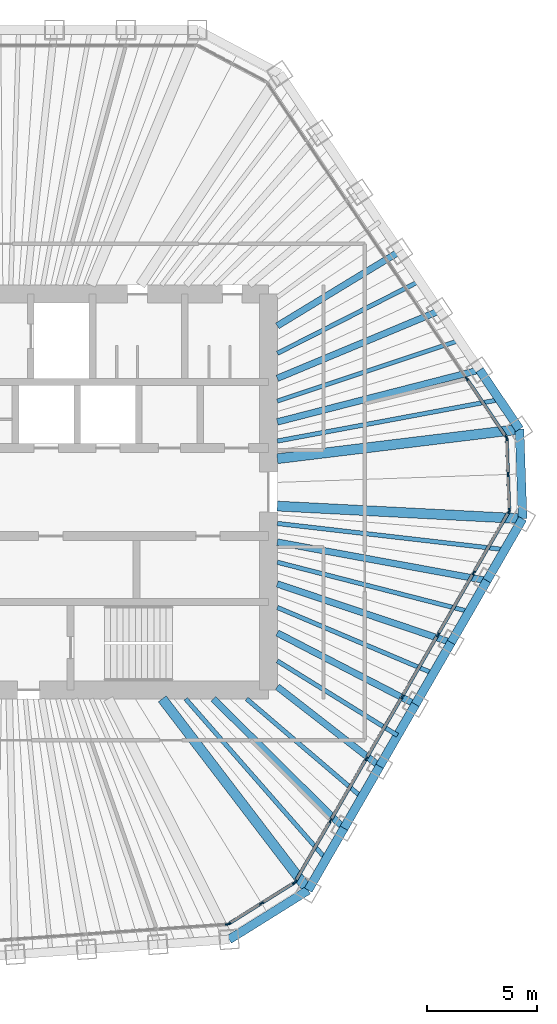
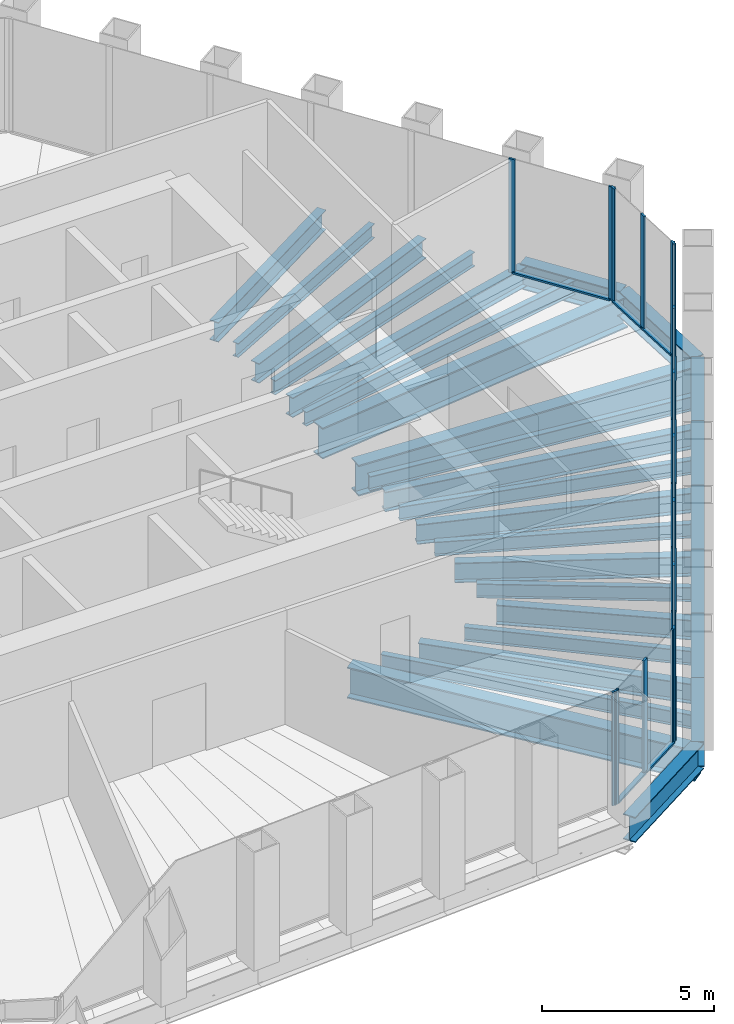
# One storey, part 5 of 14: 29 beams, 27 members, 5 elements without a shape of their own.
"""IFC4 building model written with IfcOpenShell, lengths in metres."""

from ifc_helpers import new_model, si_unit, direction, frame, origin, origin_2d, place, context, subcontext, project, spatial, rectangle, i_section, extrude, material, material_profile, profile_set, type_object, element, aggregate, save


model = new_model("IFC4")

# Units and contexts
model_context = context("Model", 3, precision=1e-05, world=origin(), true_north=direction((0.0, 1.0)))
body_context = subcontext(model_context, "Body", "Model", "MODEL_VIEW")
ifc_project = project(units=[si_unit("LENGTHUNIT", "METRE"), si_unit("AREAUNIT", "SQUARE_METRE"), si_unit("VOLUMEUNIT", "CUBIC_METRE"), si_unit("PLANEANGLEUNIT", "RADIAN"), si_unit("MASSUNIT", "GRAM", prefix="KILO")], contexts=[model_context])

# Site, building, storey
site_placement = place(None, origin())
site = spatial("IfcSite", under=ifc_project, at=site_placement, CompositionType="ELEMENT")
building_placement = place(site_placement, origin())
building = spatial("IfcBuilding", under=site, at=building_placement, Name="Qingtian Harvest Tower", CompositionType="ELEMENT")
storey_placement = place(building_placement, frame((0.0, 0.0, 320.800048828125)))
storey = spatial("IfcBuildingStorey", under=building, at=storey_placement, Name="L71", CompositionType="ELEMENT", Elevation=320.800048828125)

# Beams
ifc_material_1 = material(Name="Steel SM570MC", Category="steel")
ifc_material_profile_1 = material_profile(ifc_material_1, i_section(OverallWidth=0.449951171875, OverallDepth=1.10009765625, WebThickness=0.02197265625, FlangeThickness=0.044921875, at=origin_2d()), Name="H1100x450x22x45")
ifc_profile_set_1 = profile_set([ifc_material_profile_1], Name="Steel SM570MC")
beam_type_1 = type_object("IfcBeamType", Name="Corner floor beam FB8 H1100x450x22x45", PredefinedType="BEAM", material=ifc_profile_set_1)
beam_1_placement = place(storey_placement, frame((23.405517578125, 2.85400390625, -0.719970703125), z_axis=(-0.992647039178, -0.121044849583, 0.0), x_axis=(0.121044849583, -0.992647039178, 0.0)))
element("IfcBeam", 1, at=beam_1_placement, inside=storey, type_object=beam_type_1, Name="Floor beam FB8 NE6", PredefinedType="BEAM", context=body_context, shape_type="SweptSolid", body=[
    extrude(i_section(OverallWidth=0.449951171875, OverallDepth=1.10009765625, WebThickness=0.02197265625, FlangeThickness=0.044921875, at=origin_2d()), origin(), (0.0, 0.0, 1.0), 11.087158203125),
])
beam_2_placement = place(storey_placement, frame((23.547607421875, -1.21435546875, -0.719970703125), z_axis=(-0.998672618964, 0.051507282312, 0.0), x_axis=(-0.051507282312, -0.998672618964, 0.0)))
element("IfcBeam", 2, at=beam_2_placement, inside=storey, type_object=beam_type_1, Name="Floor beam FB8 SE0", PredefinedType="BEAM", context=body_context, shape_type="SweptSolid", body=[
    extrude(i_section(OverallWidth=0.449951171875, OverallDepth=1.10009765625, WebThickness=0.02197265625, FlangeThickness=0.044921875, at=origin_2d()), origin(), (0.0, 0.0, 1.0), 11.16259765625),
])
beam_3_placement = place(storey_placement, frame((13.803466796875, -18.091552734375, -0.719970703125), z_axis=(-0.606571927806, 0.795028613572, 0.0), x_axis=(-0.795028613572, -0.606571927806, 0.0)))
element("IfcBeam", 3, at=beam_3_placement, inside=storey, type_object=beam_type_1, Name="Floor beam FB8 SE6", PredefinedType="BEAM", context=body_context, shape_type="SweptSolid", body=[
    extrude(i_section(OverallWidth=0.449951171875, OverallDepth=1.10009765625, WebThickness=0.02197265625, FlangeThickness=0.044921875, at=origin_2d()), origin(), (0.0, 0.0, 1.0), 10.9326171875),
])
ifc_material_2 = material(Name="Steel SN490B", Category="steel")
ifc_material_profile_2 = material_profile(ifc_material_2, i_section(OverallWidth=0.300048828125, OverallDepth=0.699951171875, WebThickness=0.012939453125, FlangeThickness=0.02392578125, at=origin_2d()), Name="H700x300x13x24")
ifc_profile_set_2 = profile_set([ifc_material_profile_2], Name="Steel SN490B")
beam_type_2 = type_object("IfcBeamType", Name="Floor beam FB4 H700x300x13x24", PredefinedType="BEAM", material=ifc_profile_set_2)
beam_4_placement = place(storey_placement, frame((17.956787109375, 10.93212890625, -0.52001953125), z_axis=(-0.854157247087, -0.520014804836, 0.0), x_axis=(0.520014804836, -0.854157247087, 0.0)))
element("IfcBeam", 4, at=beam_4_placement, inside=storey, type_object=beam_type_2, Name="Floor beam FB4 NE3", PredefinedType="BEAM", context=body_context, shape_type="SweptSolid", body=[
    extrude(i_section(OverallWidth=0.300048828125, OverallDepth=0.699951171875, WebThickness=0.012939453125, FlangeThickness=0.02392578125, at=origin_2d()), origin(), (0.0, 0.0, 1.0), 6.505615234375),
])
beam_5_placement = place(storey_placement, frame((19.77294921875, 8.2392578125, -0.52001953125), z_axis=(-0.923069688542, -0.38463274704, 0.0), x_axis=(0.38463274704, -0.923069688542, 0.0)))
element("IfcBeam", 5, at=beam_5_placement, inside=storey, type_object=beam_type_2, Name="Floor beam FB4 NE4", PredefinedType="BEAM", context=body_context, shape_type="SweptSolid", body=[
    extrude(i_section(OverallWidth=0.300048828125, OverallDepth=0.699951171875, WebThickness=0.012939453125, FlangeThickness=0.02392578125, at=origin_2d()), origin(), (0.0, 0.0, 1.0), 7.987548828125),
])
beam_6_placement = place(storey_placement, frame((21.58935546875, 5.546630859375, -0.52001953125), z_axis=(-0.96854787986, -0.248827258189, 0.0), x_axis=(0.248827258189, -0.96854787986, 0.0)))
element("IfcBeam", 6, at=beam_6_placement, inside=storey, type_object=beam_type_2, Name="Floor beam FB4 NE5", PredefinedType="BEAM", context=body_context, shape_type="SweptSolid", body=[
    extrude(i_section(OverallWidth=0.300048828125, OverallDepth=0.699951171875, WebThickness=0.012939453125, FlangeThickness=0.02392578125, at=origin_2d()), origin(), (0.0, 0.0, 1.0), 9.48779296875),
])
beam_7_placement = place(storey_placement, frame((21.923583984375, -4.027099609375, -0.52001953125), z_axis=(-0.983546800525, 0.180653511389, 0.0), x_axis=(-0.180653511389, -0.983546800525, 0.0)))
element("IfcBeam", 7, at=beam_7_placement, inside=storey, type_object=beam_type_2, Name="Floor beam FB4 SE1", PredefinedType="BEAM", context=body_context, shape_type="SweptSolid", body=[
    extrude(i_section(OverallWidth=0.300048828125, OverallDepth=0.699951171875, WebThickness=0.012939453125, FlangeThickness=0.02392578125, at=origin_2d()), origin(), (0.0, 0.0, 1.0), 9.68310546875),
])
beam_8_placement = place(storey_placement, frame((20.299560546875, -6.840087890625, -0.52001953125), z_axis=(-0.947647345861, 0.319318818553, 0.0), x_axis=(-0.319318818553, -0.947647345861, 0.0)))
element("IfcBeam", 8, at=beam_8_placement, inside=storey, type_object=beam_type_2, Name="Floor beam FB4 SE2", PredefinedType="BEAM", context=body_context, shape_type="SweptSolid", body=[
    extrude(i_section(OverallWidth=0.300048828125, OverallDepth=0.699951171875, WebThickness=0.012939453125, FlangeThickness=0.02392578125, at=origin_2d()), origin(), (0.0, 0.0, 1.0), 8.336181640625),
])
beam_9_placement = place(storey_placement, frame((18.675537109375, -9.65283203125, -0.52001953125), z_axis=(-0.888354253651, 0.459158708967, 0.0), x_axis=(-0.459158708967, -0.888354253651, 0.0)))
element("IfcBeam", 9, at=beam_9_placement, inside=storey, type_object=beam_type_2, Name="Floor beam FB4 SE3", PredefinedType="BEAM", context=body_context, shape_type="SweptSolid", body=[
    extrude(i_section(OverallWidth=0.300048828125, OverallDepth=0.699951171875, WebThickness=0.012939453125, FlangeThickness=0.02392578125, at=origin_2d()), origin(), (0.0, 0.0, 1.0), 7.064453125),
])
beam_10_placement = place(storey_placement, frame((17.051513671875, -12.4658203125, -0.52001953125), z_axis=(-0.789532919969, 0.613708211029, 0.0), x_axis=(-0.613708211029, -0.789532919969, 0.0)))
element("IfcBeam", 10, at=beam_10_placement, inside=storey, type_object=beam_type_2, Name="Floor beam FB4 SE4", PredefinedType="BEAM", context=body_context, shape_type="SweptSolid", body=[
    extrude(i_section(OverallWidth=0.300048828125, OverallDepth=0.699951171875, WebThickness=0.012939453125, FlangeThickness=0.02392578125, at=origin_2d()), origin(), (0.0, 0.0, 1.0), 5.8916015625),
])
beam_11_placement = place(storey_placement, frame((15.427490234375, -15.278564453125, -0.52001953125), z_axis=(-0.71051769643, 0.703679332552, 0.0), x_axis=(-0.703679332552, -0.71051769643, 0.0)))
element("IfcBeam", 11, at=beam_11_placement, inside=storey, type_object=beam_type_2, Name="Floor beam FB4 SE5", PredefinedType="BEAM", context=body_context, shape_type="SweptSolid", body=[
    extrude(i_section(OverallWidth=0.300048828125, OverallDepth=0.699951171875, WebThickness=0.012939453125, FlangeThickness=0.02392578125, at=origin_2d()), origin(), (0.0, 0.0, 1.0), 8.354248046875),
])
ifc_material_3 = material(Name="Steel SN490B", Category="steel")
ifc_material_profile_3 = material_profile(ifc_material_3, i_section(OverallWidth=0.199951171875, OverallDepth=0.5, WebThickness=0.010009765625, FlangeThickness=0.01611328125, at=origin_2d()), Name="H500x200x10x16")
ifc_profile_set_3 = profile_set([ifc_material_profile_3], Name="Steel SN490B")
beam_type_3 = type_object("IfcBeamType", Name="Floor joist J3 H500x200x10x16", PredefinedType="JOIST", material=ifc_profile_set_3)
beam_12_placement = place(storey_placement, frame((18.864990234375, 9.585693359375, -0.420166015625), z_axis=(-0.891519956149, -0.452981421018, 0.0), x_axis=(0.452981421018, -0.891519956149, 0.0)))
element("IfcBeam", 12, at=beam_12_placement, inside=storey, type_object=beam_type_3, Name="Floor joist J3 NE3", PredefinedType="JOIST", context=body_context, shape_type="SweptSolid", body=[
    extrude(i_section(OverallWidth=0.199951171875, OverallDepth=0.5, WebThickness=0.010009765625, FlangeThickness=0.01611328125, at=origin_2d()), origin(), (0.0, 0.0, 1.0), 7.251708984375),
])
beam_13_placement = place(storey_placement, frame((20.68115234375, 6.89306640625, -0.420166015625), z_axis=(-0.948688891587, -0.316210984914, 0.0), x_axis=(0.316210984914, -0.948688891587, 0.0)))
element("IfcBeam", 13, at=beam_13_placement, inside=storey, type_object=beam_type_3, Name="Floor joist J3 NE4", PredefinedType="JOIST", context=body_context, shape_type="SweptSolid", body=[
    extrude(i_section(OverallWidth=0.199951171875, OverallDepth=0.5, WebThickness=0.010009765625, FlangeThickness=0.01611328125, at=origin_2d()), origin(), (0.0, 0.0, 1.0), 8.729248046875),
])
beam_14_placement = place(storey_placement, frame((22.49755859375, 4.2001953125, -0.420166015625), z_axis=(-0.983018248018, -0.183507831067, 0.0), x_axis=(0.183507831067, -0.983018248018, 0.0)))
element("IfcBeam", 14, at=beam_14_placement, inside=storey, type_object=beam_type_3, Name="Floor joist J3 NE5", PredefinedType="JOIST", context=body_context, shape_type="SweptSolid", body=[
    extrude(i_section(OverallWidth=0.199951171875, OverallDepth=0.5, WebThickness=0.010009765625, FlangeThickness=0.01611328125, at=origin_2d()), origin(), (0.0, 0.0, 1.0), 10.27197265625),
])
beam_15_placement = place(storey_placement, frame((22.735595703125, -2.62060546875, -0.420166015625), z_axis=(-0.993421775836, 0.114512773499, 0.0), x_axis=(-0.114512773499, -0.993421775836, 0.0)))
element("IfcBeam", 15, at=beam_15_placement, inside=storey, type_object=beam_type_3, Name="Floor joist J3 SE0", PredefinedType="JOIST", context=body_context, shape_type="SweptSolid", body=[
    extrude(i_section(OverallWidth=0.199951171875, OverallDepth=0.5, WebThickness=0.010009765625, FlangeThickness=0.01611328125, at=origin_2d()), origin(), (0.0, 0.0, 1.0), 10.404052734375),
])
beam_16_placement = place(storey_placement, frame((21.111572265625, -5.43359375, -0.420166015625), z_axis=(-0.968438109541, 0.249254143374, 0.0), x_axis=(-0.249254143374, -0.968438109541, 0.0)))
element("IfcBeam", 16, at=beam_16_placement, inside=storey, type_object=beam_type_3, Name="Floor joist J3 SE1", PredefinedType="JOIST", context=body_context, shape_type="SweptSolid", body=[
    extrude(i_section(OverallWidth=0.199951171875, OverallDepth=0.5, WebThickness=0.010009765625, FlangeThickness=0.01611328125, at=origin_2d()), origin(), (0.0, 0.0, 1.0), 8.99560546875),
])
beam_17_placement = place(storey_placement, frame((19.487548828125, -8.246337890625, -0.420166015625), z_axis=(-0.92094842321, 0.389684490052, 0.0), x_axis=(-0.389684490052, -0.92094842321, 0.0)))
element("IfcBeam", 17, at=beam_17_placement, inside=storey, type_object=beam_type_3, Name="Floor joist J3 SE2", PredefinedType="JOIST", context=body_context, shape_type="SweptSolid", body=[
    extrude(i_section(OverallWidth=0.199951171875, OverallDepth=0.5, WebThickness=0.010009765625, FlangeThickness=0.01611328125, at=origin_2d()), origin(), (0.0, 0.0, 1.0), 7.696044921875),
])
beam_18_placement = place(storey_placement, frame((17.863525390625, -11.059326171875, -0.420166015625), z_axis=(-0.850242474743, 0.526391236765, 0.0), x_axis=(-0.526391236765, -0.850242474743, 0.0)))
element("IfcBeam", 18, at=beam_18_placement, inside=storey, type_object=beam_type_3, Name="Floor joist J3 SE3", PredefinedType="JOIST", context=body_context, shape_type="SweptSolid", body=[
    extrude(i_section(OverallWidth=0.199951171875, OverallDepth=0.5, WebThickness=0.010009765625, FlangeThickness=0.01611328125, at=origin_2d()), origin(), (0.0, 0.0, 1.0), 6.426025390625),
])
beam_19_placement = place(storey_placement, frame((16.239501953125, -13.8720703125, -0.420166015625), z_axis=(-0.760351789284, 0.649511475289, 0.0), x_axis=(-0.649511475289, -0.760351789284, 0.0)))
element("IfcBeam", 19, at=beam_19_placement, inside=storey, type_object=beam_type_3, Name="Floor joist J3 SE4", PredefinedType="JOIST", context=body_context, shape_type="SweptSolid", body=[
    extrude(i_section(OverallWidth=0.199951171875, OverallDepth=0.5, WebThickness=0.010009765625, FlangeThickness=0.01611328125, at=origin_2d()), origin(), (0.0, 0.0, 1.0), 6.885498046875),
])
beam_20_placement = place(storey_placement, frame((14.615478515625, -16.68505859375, -0.420166015625), z_axis=(-0.658904284354, 0.75222679031, 0.0), x_axis=(-0.75222679031, -0.658904284354, 0.0)))
element("IfcBeam", 20, at=beam_20_placement, inside=storey, type_object=beam_type_3, Name="Floor joist J3 SE5", PredefinedType="JOIST", context=body_context, shape_type="SweptSolid", body=[
    extrude(i_section(OverallWidth=0.199951171875, OverallDepth=0.5, WebThickness=0.010009765625, FlangeThickness=0.01611328125, at=origin_2d()), origin(), (0.0, 0.0, 1.0), 9.684814453125),
])

# Curtain wall, members
ifc_material_4 = material(Name="Bronze-anodised aluminium curtain wall", Category="aluminium")
curtain_wall_type = type_object("IfcCurtainWallType", Name="Curtain wall CW5 upper office", PredefinedType="USERDEFINED", material=ifc_material_4)
curtain_wall_1_placement = place(storey_placement, origin())
curtain_wall_1 = element("IfcCurtainWall", 21, at=curtain_wall_1_placement, inside=storey, type_object=curtain_wall_type, Name="Curtain wall CW5 L71 NE0-5", ObjectType="RECESSED CURTAIN WALL", PredefinedType="USERDEFINED")
ifc_material_5 = material(Name="Bronze-anodised aluminium mullion", Category="aluminium")
ifc_material_profile_4 = material_profile(ifc_material_5, rectangle(XDim=0.06494140625, YDim=0.199951171875, at=origin_2d()), Name="AL 65x200")
ifc_profile_set_4 = profile_set([ifc_material_profile_4], Name="Bronze-anodised aluminium mullion")
member_type_1 = type_object("IfcMemberType", Name="Mullion CWM 65x200", PredefinedType="MULLION", material=ifc_profile_set_4)
member_1_placement = place(storey_placement, frame((21.009033203125, 5.1552734375, 0.0), z_axis=(0.0, 0.0, 1.0), x_axis=(0.829037572555, 0.559192903471, 0.0)))
member_1 = element("IfcMember", 22, at=member_1_placement, type_object=member_type_1, Name="CW5 mullion 6", PredefinedType="MULLION", context=body_context, shape_type="SweptSolid", body=[
    extrude(rectangle(XDim=0.06494140625, YDim=0.199951171875, at=origin_2d()), origin(), (0.0, 0.0, 1.0), 4.030029296875),
])
member_2_placement = place(storey_placement, frame((22.80712890625, 2.489501953125, 0.0), z_axis=(0.0, 0.0, 1.0), x_axis=(0.829037572555, 0.559192903471, 0.0)))
member_2 = element("IfcMember", 23, at=member_2_placement, type_object=member_type_1, Name="CW5 mullion 7", PredefinedType="MULLION", context=body_context, shape_type="SweptSolid", body=[
    extrude(rectangle(XDim=0.06494140625, YDim=0.199951171875, at=origin_2d()), origin(), (0.0, 0.0, 1.0), 4.030029296875),
])

curtain_wall_2_placement = place(storey_placement, origin())
curtain_wall_2 = element("IfcCurtainWall", 24, at=curtain_wall_2_placement, inside=storey, type_object=curtain_wall_type, Name="Curtain wall CW5 L71 NEC", ObjectType="RECESSED CURTAIN WALL", PredefinedType="USERDEFINED")
member_3_placement = place(storey_placement, frame((22.826416015625, 2.429931640625, 0.0), z_axis=(0.0, 0.0, 1.0), x_axis=(0.999390827019, 0.034899496703, 0.0)))
member_3 = element("IfcMember", 25, at=member_3_placement, type_object=member_type_1, Name="CW5 mullion 1", PredefinedType="MULLION", context=body_context, shape_type="SweptSolid", body=[
    extrude(rectangle(XDim=0.06494140625, YDim=0.199951171875, at=origin_2d()), origin(), (0.0, 0.0, 1.0), 4.030029296875),
])
member_4_placement = place(storey_placement, frame((22.88330078125, 0.799072265625, 0.0), z_axis=(0.0, 0.0, 1.0), x_axis=(0.999390827019, 0.034899496703, 0.0)))
member_4 = element("IfcMember", 26, at=member_4_placement, type_object=member_type_1, Name="CW5 mullion 2", PredefinedType="MULLION", context=body_context, shape_type="SweptSolid", body=[
    extrude(rectangle(XDim=0.06494140625, YDim=0.199951171875, at=origin_2d()), origin(), (0.0, 0.0, 1.0), 4.030029296875),
])
member_5_placement = place(storey_placement, frame((22.9404296875, -0.831787109375, 0.0), z_axis=(0.0, 0.0, 1.0), x_axis=(0.999390827019, 0.034899496703, 0.0)))
member_5 = element("IfcMember", 27, at=member_5_placement, type_object=member_type_1, Name="CW5 mullion 3", PredefinedType="MULLION", context=body_context, shape_type="SweptSolid", body=[
    extrude(rectangle(XDim=0.06494140625, YDim=0.199951171875, at=origin_2d()), origin(), (0.0, 0.0, 1.0), 4.030029296875),
])

curtain_wall_3_placement = place(storey_placement, origin())
curtain_wall_3 = element("IfcCurtainWall", 28, at=curtain_wall_3_placement, inside=storey, type_object=curtain_wall_type, Name="Curtain wall CW5 L71 SE0-5", ObjectType="RECESSED CURTAIN WALL", PredefinedType="USERDEFINED")
member_6_placement = place(storey_placement, frame((22.92529296875, -0.892333984375, 0.0), z_axis=(0.0, 0.0, 1.0), x_axis=(0.866025403784, -0.5, 0.0)))
member_6 = element("IfcMember", 29, at=member_6_placement, type_object=member_type_1, Name="CW5 mullion 1", PredefinedType="MULLION", context=body_context, shape_type="SweptSolid", body=[
    extrude(rectangle(XDim=0.06494140625, YDim=0.199951171875, at=origin_2d()), origin(), (0.0, 0.0, 1.0), 4.030029296875),
])
member_7_placement = place(storey_placement, frame((21.3173828125, -3.67724609375, 0.0), z_axis=(0.0, 0.0, 1.0), x_axis=(0.866025403784, -0.5, 0.0)))
member_7 = element("IfcMember", 30, at=member_7_placement, type_object=member_type_1, Name="CW5 mullion 2", PredefinedType="MULLION", context=body_context, shape_type="SweptSolid", body=[
    extrude(rectangle(XDim=0.06494140625, YDim=0.199951171875, at=origin_2d()), origin(), (0.0, 0.0, 1.0), 4.030029296875),
])
member_8_placement = place(storey_placement, frame((19.693359375, -6.489990234375, 0.0), z_axis=(0.0, 0.0, 1.0), x_axis=(0.866025403784, -0.5, 0.0)))
member_8 = element("IfcMember", 31, at=member_8_placement, type_object=member_type_1, Name="CW5 mullion 3", PredefinedType="MULLION", context=body_context, shape_type="SweptSolid", body=[
    extrude(rectangle(XDim=0.06494140625, YDim=0.199951171875, at=origin_2d()), origin(), (0.0, 0.0, 1.0), 4.030029296875),
])
member_9_placement = place(storey_placement, frame((18.0693359375, -9.302978515625, 0.0), z_axis=(0.0, 0.0, 1.0), x_axis=(0.866025403784, -0.5, 0.0)))
member_9 = element("IfcMember", 32, at=member_9_placement, type_object=member_type_1, Name="CW5 mullion 4", PredefinedType="MULLION", context=body_context, shape_type="SweptSolid", body=[
    extrude(rectangle(XDim=0.06494140625, YDim=0.199951171875, at=origin_2d()), origin(), (0.0, 0.0, 1.0), 4.030029296875),
])
member_10_placement = place(storey_placement, frame((16.4453125, -12.11572265625, 0.0), z_axis=(0.0, 0.0, 1.0), x_axis=(0.866025403784, -0.5, 0.0)))
member_10 = element("IfcMember", 33, at=member_10_placement, type_object=member_type_1, Name="CW5 mullion 5", PredefinedType="MULLION", context=body_context, shape_type="SweptSolid", body=[
    extrude(rectangle(XDim=0.06494140625, YDim=0.199951171875, at=origin_2d()), origin(), (0.0, 0.0, 1.0), 4.030029296875),
])
member_11_placement = place(storey_placement, frame((14.8212890625, -14.9287109375, 0.0), z_axis=(0.0, 0.0, 1.0), x_axis=(0.866025403784, -0.5, 0.0)))
member_11 = element("IfcMember", 34, at=member_11_placement, type_object=member_type_1, Name="CW5 mullion 6", PredefinedType="MULLION", context=body_context, shape_type="SweptSolid", body=[
    extrude(rectangle(XDim=0.06494140625, YDim=0.199951171875, at=origin_2d()), origin(), (0.0, 0.0, 1.0), 4.030029296875),
])
member_12_placement = place(storey_placement, frame((13.213623046875, -17.71337890625, 0.0), z_axis=(0.0, 0.0, 1.0), x_axis=(0.866025403784, -0.5, 0.0)))
member_12 = element("IfcMember", 35, at=member_12_placement, type_object=member_type_1, Name="CW5 mullion 7", PredefinedType="MULLION", context=body_context, shape_type="SweptSolid", body=[
    extrude(rectangle(XDim=0.06494140625, YDim=0.199951171875, at=origin_2d()), origin(), (0.0, 0.0, 1.0), 4.030029296875),
])

curtain_wall_4_placement = place(storey_placement, origin())
curtain_wall_4 = element("IfcCurtainWall", 36, at=curtain_wall_4_placement, inside=storey, type_object=curtain_wall_type, Name="Curtain wall CW5 L71 SEC", ObjectType="RECESSED CURTAIN WALL", PredefinedType="USERDEFINED")
member_13_placement = place(storey_placement, frame((13.169921875, -17.7587890625, 0.0), z_axis=(0.0, 0.0, 1.0), x_axis=(0.529919264233, -0.848048096156, 0.0)))
member_13 = element("IfcMember", 37, at=member_13_placement, type_object=member_type_1, Name="CW5 mullion 1", PredefinedType="MULLION", context=body_context, shape_type="SweptSolid", body=[
    extrude(rectangle(XDim=0.06494140625, YDim=0.199951171875, at=origin_2d()), origin(), (0.0, 0.0, 1.0), 4.030029296875),
])
member_14_placement = place(storey_placement, frame((11.678955078125, -18.690185546875, 0.0), z_axis=(0.0, 0.0, 1.0), x_axis=(0.529919264233, -0.848048096156, 0.0)))
member_14 = element("IfcMember", 38, at=member_14_placement, type_object=member_type_1, Name="CW5 mullion 2", PredefinedType="MULLION", context=body_context, shape_type="SweptSolid", body=[
    extrude(rectangle(XDim=0.06494140625, YDim=0.199951171875, at=origin_2d()), origin(), (0.0, 0.0, 1.0), 4.030029296875),
])
member_15_placement = place(storey_placement, frame((10.188232421875, -19.621826171875, 0.0), z_axis=(0.0, 0.0, 1.0), x_axis=(0.529919264233, -0.848048096156, 0.0)))
member_15 = element("IfcMember", 39, at=member_15_placement, type_object=member_type_1, Name="CW5 mullion 3", PredefinedType="MULLION", context=body_context, shape_type="SweptSolid", body=[
    extrude(rectangle(XDim=0.06494140625, YDim=0.199951171875, at=origin_2d()), origin(), (0.0, 0.0, 1.0), 4.030029296875),
])

# Curtain wall, member
curtain_wall_5_placement = place(storey_placement, origin())
curtain_wall_5 = element("IfcCurtainWall", 40, at=curtain_wall_5_placement, inside=storey, type_object=curtain_wall_type, Name="Curtain wall CW5 L71 S0-5", ObjectType="RECESSED CURTAIN WALL", PredefinedType="USERDEFINED")
member_16_placement = place(storey_placement, frame((10.128173828125, -19.641357421875, 0.0), z_axis=(0.0, 0.0, 1.0), x_axis=(0.069756473744, -0.99756405026, 0.0)))
member_16 = element("IfcMember", 41, at=member_16_placement, type_object=member_type_1, Name="CW5 mullion 1", PredefinedType="MULLION", context=body_context, shape_type="SweptSolid", body=[
    extrude(rectangle(XDim=0.06494140625, YDim=0.199951171875, at=origin_2d()), origin(), (0.0, 0.0, 1.0), 4.030029296875),
])
aggregate(curtain_wall_5, [member_16])

# Beams
ifc_material_6 = material(Name="Steel SN490B", Category="steel")
ifc_material_profile_5 = material_profile(ifc_material_6, i_section(OverallWidth=0.39990234375, OverallDepth=0.89990234375, WebThickness=0.01904296875, FlangeThickness=0.035888671875, at=origin_2d()), Name="H900x400x19x36")
ifc_profile_set_5 = profile_set([ifc_material_profile_5], Name="Steel SN490B")
beam_type_4 = type_object("IfcBeamType", Name="Spandrel beam SB4 H900x400x19x36", PredefinedType="SPANDREL", material=ifc_profile_set_5)
beam_21_placement = place(storey_placement, frame((21.58935546875, 5.546630859375, -0.449951171875), z_axis=(0.559184924833, -0.829042954158, 0.0), x_axis=(0.829042954158, 0.559184924833, 0.0)))
element("IfcBeam", 42, at=beam_21_placement, inside=storey, type_object=beam_type_4, Name="Spandrel SB4 NE5", PredefinedType="SPANDREL", context=body_context, shape_type="SweptSolid", body=[
    extrude(i_section(OverallWidth=0.39990234375, OverallDepth=0.89990234375, WebThickness=0.01904296875, FlangeThickness=0.035888671875, at=origin_2d()), origin(), (0.0, 0.0, 1.0), 3.247802734375),
])
beam_22_placement = place(storey_placement, frame((23.405517578125, 2.85400390625, -0.449951171875), z_axis=(0.034904306503, -0.999390659046, 0.0), x_axis=(0.999390659046, 0.034904306503, 0.0)))
element("IfcBeam", 43, at=beam_22_placement, inside=storey, type_object=beam_type_4, Name="Spandrel SB4 NEC", PredefinedType="SPANDREL", context=body_context, shape_type="SweptSolid", body=[
    extrude(i_section(OverallWidth=0.39990234375, OverallDepth=0.89990234375, WebThickness=0.01904296875, FlangeThickness=0.035888671875, at=origin_2d()), origin(), (0.0, 0.0, 1.0), 4.07080078125),
])
beam_23_placement = place(storey_placement, frame((23.547607421875, -1.21435546875, -0.449951171875), z_axis=(-0.500019593356, -0.866014091259, 0.0), x_axis=(0.866014091259, -0.500019593356, 0.0)))
element("IfcBeam", 44, at=beam_23_placement, inside=storey, type_object=beam_type_4, Name="Spandrel SB4 SE0", PredefinedType="SPANDREL", context=body_context, shape_type="SweptSolid", body=[
    extrude(i_section(OverallWidth=0.39990234375, OverallDepth=0.89990234375, WebThickness=0.01904296875, FlangeThickness=0.035888671875, at=origin_2d()), origin(), (0.0, 0.0, 1.0), 3.247802734375),
])
beam_24_placement = place(storey_placement, frame((21.923583984375, -4.027099609375, -0.449951171875), z_axis=(-0.499987045439, -0.866032882975, 0.0), x_axis=(0.866032882975, -0.499987045439, 0.0)))
element("IfcBeam", 45, at=beam_24_placement, inside=storey, type_object=beam_type_4, Name="Spandrel SB4 SE1", PredefinedType="SPANDREL", context=body_context, shape_type="SweptSolid", body=[
    extrude(i_section(OverallWidth=0.39990234375, OverallDepth=0.89990234375, WebThickness=0.01904296875, FlangeThickness=0.035888671875, at=origin_2d()), origin(), (0.0, 0.0, 1.0), 3.248046875),
])
beam_25_placement = place(storey_placement, frame((20.299560546875, -6.840087890625, -0.449951171875), z_axis=(-0.500019593356, -0.866014091259, 0.0), x_axis=(0.866014091259, -0.500019593356, 0.0)))
element("IfcBeam", 46, at=beam_25_placement, inside=storey, type_object=beam_type_4, Name="Spandrel SB4 SE2", PredefinedType="SPANDREL", context=body_context, shape_type="SweptSolid", body=[
    extrude(i_section(OverallWidth=0.39990234375, OverallDepth=0.89990234375, WebThickness=0.01904296875, FlangeThickness=0.035888671875, at=origin_2d()), origin(), (0.0, 0.0, 1.0), 3.247802734375),
])
beam_26_placement = place(storey_placement, frame((18.675537109375, -9.65283203125, -0.449951171875), z_axis=(-0.499987045439, -0.866032882975, 0.0), x_axis=(0.866032882975, -0.499987045439, 0.0)))
element("IfcBeam", 47, at=beam_26_placement, inside=storey, type_object=beam_type_4, Name="Spandrel SB4 SE3", PredefinedType="SPANDREL", context=body_context, shape_type="SweptSolid", body=[
    extrude(i_section(OverallWidth=0.39990234375, OverallDepth=0.89990234375, WebThickness=0.01904296875, FlangeThickness=0.035888671875, at=origin_2d()), origin(), (0.0, 0.0, 1.0), 3.248046875),
])
beam_27_placement = place(storey_placement, frame((17.051513671875, -12.4658203125, -0.449951171875), z_axis=(-0.500019593356, -0.866014091259, 0.0), x_axis=(0.866014091259, -0.500019593356, 0.0)))
element("IfcBeam", 48, at=beam_27_placement, inside=storey, type_object=beam_type_4, Name="Spandrel SB4 SE4", PredefinedType="SPANDREL", context=body_context, shape_type="SweptSolid", body=[
    extrude(i_section(OverallWidth=0.39990234375, OverallDepth=0.89990234375, WebThickness=0.01904296875, FlangeThickness=0.035888671875, at=origin_2d()), origin(), (0.0, 0.0, 1.0), 3.247802734375),
])
beam_28_placement = place(storey_placement, frame((15.427490234375, -15.278564453125, -0.449951171875), z_axis=(-0.499987045439, -0.866032882975, 0.0), x_axis=(0.866032882975, -0.499987045439, 0.0)))
element("IfcBeam", 49, at=beam_28_placement, inside=storey, type_object=beam_type_4, Name="Spandrel SB4 SE5", PredefinedType="SPANDREL", context=body_context, shape_type="SweptSolid", body=[
    extrude(i_section(OverallWidth=0.39990234375, OverallDepth=0.89990234375, WebThickness=0.01904296875, FlangeThickness=0.035888671875, at=origin_2d()), origin(), (0.0, 0.0, 1.0), 3.248046875),
])
beam_29_placement = place(storey_placement, frame((13.803466796875, -18.091552734375, -0.449951171875), z_axis=(-0.848040374245, -0.529931621675, 0.0), x_axis=(0.529931621675, -0.848040374245, 0.0)))
element("IfcBeam", 50, at=beam_29_placement, inside=storey, type_object=beam_type_4, Name="Spandrel SB4 SEC", PredefinedType="SPANDREL", context=body_context, shape_type="SweptSolid", body=[
    extrude(i_section(OverallWidth=0.39990234375, OverallDepth=0.89990234375, WebThickness=0.01904296875, FlangeThickness=0.035888671875, at=origin_2d()), origin(), (0.0, 0.0, 1.0), 4.238037109375),
])

# Member
ifc_material_7 = material(Name="Bronze-anodised aluminium transom", Category="aluminium")
ifc_material_profile_6 = material_profile(ifc_material_7, rectangle(XDim=0.14990234375, YDim=0.06494140625, at=origin_2d()), Name="AL 65x150")
ifc_profile_set_6 = profile_set([ifc_material_profile_6], Name="Bronze-anodised aluminium transom")
member_type_2 = type_object("IfcMemberType", Name="Transom CWT 65x150", PredefinedType="USERDEFINED", material=ifc_profile_set_6)
member_17_placement = place(storey_placement, frame((21.027099609375, 5.128173828125, 0.032470703125), z_axis=(0.559198649732, -0.829033696624, 0.0), x_axis=(0.829033696624, 0.559198649732, 0.0)))
member_17 = element("IfcMember", 51, at=member_17_placement, type_object=member_type_2, Name="CW5 transom 6.1", ObjectType="TRANSOM", PredefinedType="USERDEFINED", context=body_context, shape_type="SweptSolid", body=[
    extrude(rectangle(XDim=0.14990234375, YDim=0.06494140625, at=origin_2d()), origin(), (0.0, 0.0, 1.0), 3.150390625),
])

aggregate(curtain_wall_1, [member_1, member_2, member_17])

member_18_placement = place(storey_placement, frame((22.82763671875, 2.3974609375, 0.032470703125), z_axis=(0.034902326647, -0.999390728191, 0.0), x_axis=(0.999390728191, 0.034902326647, 0.0)))
member_18 = element("IfcMember", 52, at=member_18_placement, type_object=member_type_2, Name="CW5 transom 1.1", ObjectType="TRANSOM", PredefinedType="USERDEFINED", context=body_context, shape_type="SweptSolid", body=[
    extrude(rectangle(XDim=0.14990234375, YDim=0.06494140625, at=origin_2d()), origin(), (0.0, 0.0, 1.0), 1.56689453125),
])

member_19_placement = place(storey_placement, frame((22.884521484375, 0.7666015625, 0.032470703125), z_axis=(0.034902326647, -0.999390728191, 0.0), x_axis=(0.999390728191, 0.034902326647, 0.0)))
member_19 = element("IfcMember", 53, at=member_19_placement, type_object=member_type_2, Name="CW5 transom 2.1", ObjectType="TRANSOM", PredefinedType="USERDEFINED", context=body_context, shape_type="SweptSolid", body=[
    extrude(rectangle(XDim=0.14990234375, YDim=0.06494140625, at=origin_2d()), origin(), (0.0, 0.0, 1.0), 1.56689453125),
])

aggregate(curtain_wall_2, [member_3, member_4, member_5, member_18, member_19])

member_20_placement = place(storey_placement, frame((22.908935546875, -0.920654296875, 0.032470703125), z_axis=(-0.50000643655, -0.866021687608, 0.0), x_axis=(0.866021687608, -0.50000643655, 0.0)))
member_20 = element("IfcMember", 54, at=member_20_placement, type_object=member_type_2, Name="CW5 transom 1.1", ObjectType="TRANSOM", PredefinedType="USERDEFINED", context=body_context, shape_type="SweptSolid", body=[
    extrude(rectangle(XDim=0.14990234375, YDim=0.06494140625, at=origin_2d()), origin(), (0.0, 0.0, 1.0), 3.150390625),
])

member_21_placement = place(storey_placement, frame((21.30126953125, -3.705322265625, 0.032470703125), z_axis=(-0.5000079448, -0.866020816803, 0.0), x_axis=(0.866020816803, -0.5000079448, 0.0)))
member_21 = element("IfcMember", 55, at=member_21_placement, type_object=member_type_2, Name="CW5 transom 2.1", ObjectType="TRANSOM", PredefinedType="USERDEFINED", context=body_context, shape_type="SweptSolid", body=[
    extrude(rectangle(XDim=0.14990234375, YDim=0.06494140625, at=origin_2d()), origin(), (0.0, 0.0, 1.0), 3.18310546875),
])

member_22_placement = place(storey_placement, frame((19.67724609375, -6.51806640625, 0.032470703125), z_axis=(-0.5000079448, -0.866020816803, 0.0), x_axis=(0.866020816803, -0.5000079448, 0.0)))
member_22 = element("IfcMember", 56, at=member_22_placement, type_object=member_type_2, Name="CW5 transom 3.1", ObjectType="TRANSOM", PredefinedType="USERDEFINED", context=body_context, shape_type="SweptSolid", body=[
    extrude(rectangle(XDim=0.14990234375, YDim=0.06494140625, at=origin_2d()), origin(), (0.0, 0.0, 1.0), 3.18310546875),
])

member_23_placement = place(storey_placement, frame((18.05322265625, -9.3310546875, 0.032470703125), z_axis=(-0.5000079448, -0.866020816803, 0.0), x_axis=(0.866020816803, -0.5000079448, 0.0)))
member_23 = element("IfcMember", 57, at=member_23_placement, type_object=member_type_2, Name="CW5 transom 4.1", ObjectType="TRANSOM", PredefinedType="USERDEFINED", context=body_context, shape_type="SweptSolid", body=[
    extrude(rectangle(XDim=0.14990234375, YDim=0.06494140625, at=origin_2d()), origin(), (0.0, 0.0, 1.0), 3.18310546875),
])

member_24_placement = place(storey_placement, frame((16.42919921875, -12.143798828125, 0.032470703125), z_axis=(-0.5000079448, -0.866020816803, 0.0), x_axis=(0.866020816803, -0.5000079448, 0.0)))
member_24 = element("IfcMember", 58, at=member_24_placement, type_object=member_type_2, Name="CW5 transom 5.1", ObjectType="TRANSOM", PredefinedType="USERDEFINED", context=body_context, shape_type="SweptSolid", body=[
    extrude(rectangle(XDim=0.14990234375, YDim=0.06494140625, at=origin_2d()), origin(), (0.0, 0.0, 1.0), 3.18310546875),
])

member_25_placement = place(storey_placement, frame((14.80517578125, -14.956787109375, 0.032470703125), z_axis=(-0.499972881236, -0.866041060244, 0.0), x_axis=(0.866041060244, -0.499972881236, 0.0)))
member_25 = element("IfcMember", 59, at=member_25_placement, type_object=member_type_2, Name="CW5 transom 6.1", ObjectType="TRANSOM", PredefinedType="USERDEFINED", context=body_context, shape_type="SweptSolid", body=[
    extrude(rectangle(XDim=0.14990234375, YDim=0.06494140625, at=origin_2d()), origin(), (0.0, 0.0, 1.0), 3.150634765625),
])

aggregate(curtain_wall_3, [member_6, member_7, member_8, member_9, member_10, member_11, member_12, member_20, member_21, member_22, member_23, member_24, member_25])

member_26_placement = place(storey_placement, frame((13.142333984375, -17.77587890625, 0.032470703125), z_axis=(-0.84803880708, -0.529934129573, 0.0), x_axis=(0.529934129573, -0.84803880708, 0.0)))
member_26 = element("IfcMember", 60, at=member_26_placement, type_object=member_type_2, Name="CW5 transom 1.1", ObjectType="TRANSOM", PredefinedType="USERDEFINED", context=body_context, shape_type="SweptSolid", body=[
    extrude(rectangle(XDim=0.14990234375, YDim=0.06494140625, at=origin_2d()), origin(), (0.0, 0.0, 1.0), 1.693115234375),
])

member_27_placement = place(storey_placement, frame((11.6513671875, -18.70751953125, 0.032470703125), z_axis=(-0.847998304005, -0.529998940003, 0.0), x_axis=(0.529998940003, -0.847998304005, 0.0)))
member_27 = element("IfcMember", 61, at=member_27_placement, type_object=member_type_2, Name="CW5 transom 2.1", ObjectType="TRANSOM", PredefinedType="USERDEFINED", context=body_context, shape_type="SweptSolid", body=[
    extrude(rectangle(XDim=0.14990234375, YDim=0.06494140625, at=origin_2d()), origin(), (0.0, 0.0, 1.0), 1.69287109375),
])

aggregate(curtain_wall_4, [member_13, member_14, member_15, member_26, member_27])

save(model, "model.ifc")
